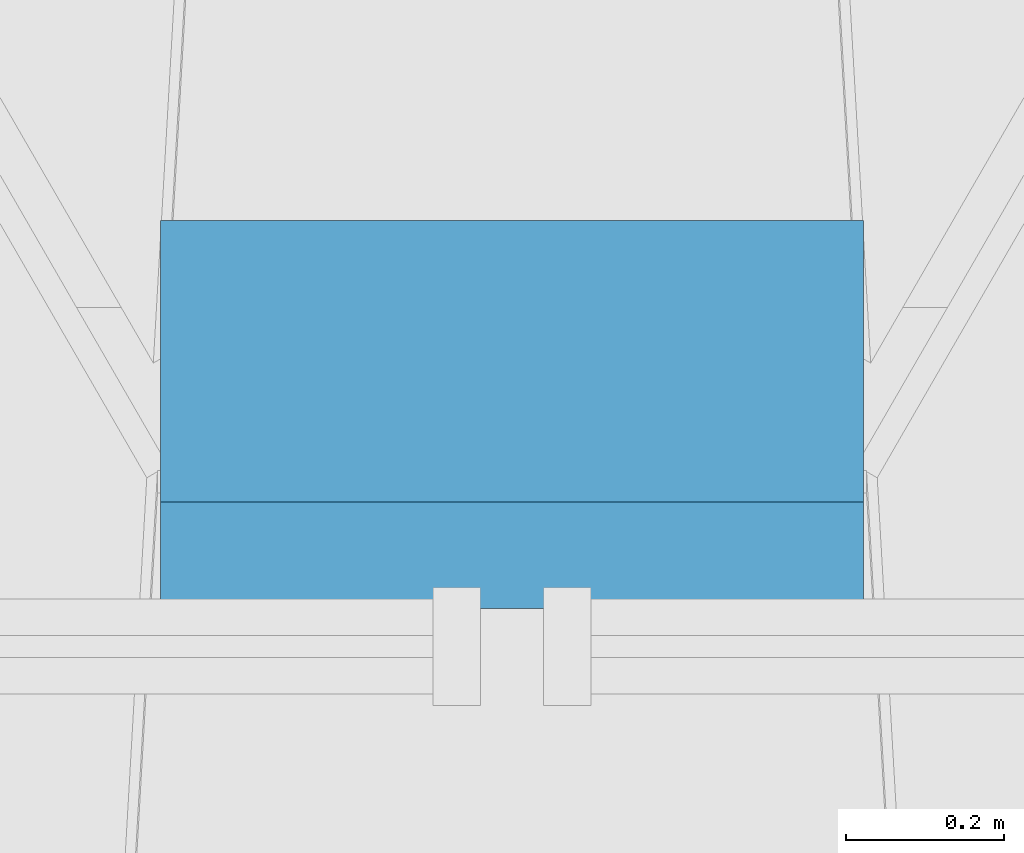
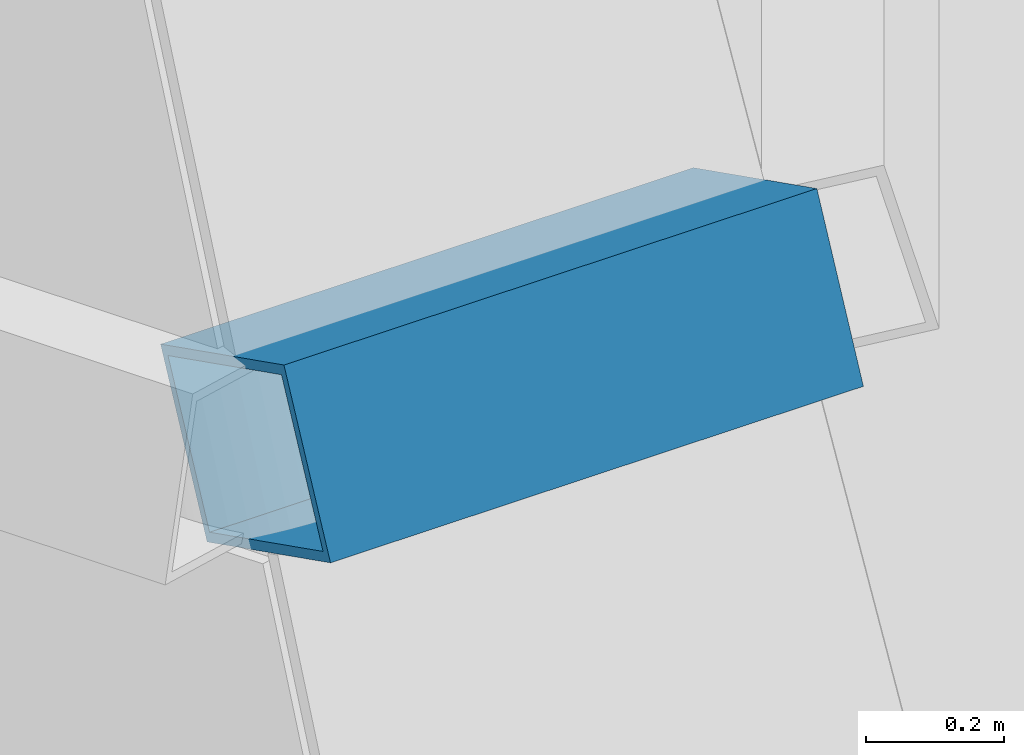
# One storey, part 13 of 36: 1 member, 1 element without a shape of its own.
"""IFC4 building model written with IfcOpenShell, lengths in metres."""

import ifcopenshell
import ifcopenshell.guid

model = None  # the IFC model being written
_history = None  # IfcOwnerHistory: only IFC2X3 demands one
_inside = {}  # id of a spatial element -> (the spatial element, [elements in it])
_under = {}  # id of a project, library or spatial element -> (it, [spatial elements below it])
_declared = {}  # id of a project -> (the project, [libraries it declares])
_typed = {}  # id of a type object -> (the type object, [elements of that type])
_made_of = {}  # id of a material, layer set ... -> (it, [elements and type objects made of it])


def new_model(schema):
    """Start an empty IFC model of exactly this schema.

    Asked for "IFC4X3", IfcOpenShell would pick the latest addendum, in which some entities
    have other attributes; the version numbers below select the first issue.
    IFC2X3 requires an IfcOwnerHistory on every rooted entity: one is made here for all.
    """
    global model, _history
    if schema == "IFC4X3":
        model = ifcopenshell.file(schema_version=(4, 3, 0, 0))
    else:
        model = ifcopenshell.file(schema=schema)
    _inside.clear()
    _under.clear()
    _declared.clear()
    _typed.clear()
    _made_of.clear()
    _history = None
    if model.schema == "IFC2X3":
        org = make("IfcOrganization", Name="unknown")
        user = make(
            "IfcPersonAndOrganization",
            ThePerson=make("IfcPerson", FamilyName="unknown"),
            TheOrganization=org,
        )
        app = make(
            "IfcApplication",
            ApplicationDeveloper=org,
            Version="unknown",
            ApplicationFullName="unknown",
            ApplicationIdentifier="unknown",
        )
        _history = make(
            "IfcOwnerHistory",
            OwningUser=user,
            OwningApplication=app,
            ChangeAction="ADDED",
            CreationDate=0,
        )
    return model


def make(cls, **values):
    """One entity of the class cls with the attributes given. An attribute that is None is left unset."""
    return model.create_entity(
        cls, **{name: value for name, value in values.items() if value is not None}
    )


def rooted(cls, **values):
    """An entity with a GlobalId (a new one), such as an element, a storey or a relation."""
    return make(cls, GlobalId=ifcopenshell.guid.new(), OwnerHistory=_history, **values)


def si_unit(unit_type, name, prefix=None):
    """IfcSIUnit, for example si_unit("LENGTHUNIT", "METRE", prefix="MILLI")."""
    return make("IfcSIUnit", UnitType=unit_type, Prefix=prefix, Name=name)


def assignment(units):
    """IfcUnitAssignment: the units of a project."""
    return None if units is None else make("IfcUnitAssignment", Units=units)


def point(xyz):
    """IfcCartesianPoint."""
    return None if xyz is None else make("IfcCartesianPoint", Coordinates=xyz)


def direction(xyz):
    """IfcDirection."""
    return None if xyz is None else make("IfcDirection", DirectionRatios=xyz)


def frame(location, z_axis=None, x_axis=None):
    """IfcAxis2Placement3D, a coordinate frame: its origin and axes. An axis left out is left unset."""
    return make(
        "IfcAxis2Placement3D",
        Location=point(location),
        Axis=direction(z_axis),
        RefDirection=direction(x_axis),
    )


def frame_2d(location, x_axis=None):
    """IfcAxis2Placement2D, a coordinate frame in the plane: its origin and x axis."""
    return make(
        "IfcAxis2Placement2D", Location=point(location), RefDirection=direction(x_axis)
    )


def origin():
    """The frame at (0, 0, 0) with its axes left unset."""
    return frame((0.0, 0.0, 0.0))


def origin_2d():
    """The frame at (0, 0) in the plane with its x axis left unset."""
    return frame_2d((0.0, 0.0))


def place(relative_to, where):
    """IfcLocalPlacement: puts the frame where relative to a parent placement (None: the world)."""
    return make(
        "IfcLocalPlacement", PlacementRelTo=relative_to, RelativePlacement=where
    )


def context(
    kind, dimensions, precision=None, world=None, true_north=None, identifier=None
):
    """IfcGeometricRepresentationContext, for example the 3D "Model" context."""
    return make(
        "IfcGeometricRepresentationContext",
        ContextIdentifier=identifier,
        ContextType=kind,
        CoordinateSpaceDimension=dimensions,
        Precision=precision,
        WorldCoordinateSystem=world,
        TrueNorth=true_north,
    )


def subcontext(parent, identifier, kind, view, scale=None):
    """IfcGeometricRepresentationSubContext, for example "Body" below "Model"."""
    return make(
        "IfcGeometricRepresentationSubContext",
        ContextIdentifier=identifier,
        ContextType=kind,
        ParentContext=parent,
        TargetScale=scale,
        TargetView=view,
    )


def project(units=None, contexts=None):
    """IfcProject with its units and contexts."""
    return rooted(
        "IfcProject",
        Name="project",
        RepresentationContexts=contexts,
        UnitsInContext=assignment(units),
    )


def spatial(cls, under=None, at=None, **own):
    """A site, building, storey or space (cls), placed at a placement, below another one or the project."""
    s = rooted(cls, ObjectPlacement=at, **own)
    if under is not None:
        _under.setdefault(under.id(), (under, []))[1].append(s)
    return s


def profile(cls, at=None, kind="AREA", **sizes):
    """A parametric profile (cls). Its sizes go by their IFC names, for example OverallWidth=200.0."""
    return make(cls, ProfileType=kind, Position=at, **sizes)


def hollow_rectangle(**sizes):
    """IfcRectangleHollowProfileDef."""
    return profile("IfcRectangleHollowProfileDef", **sizes)


def extrude(swept, where, along, depth):
    """IfcExtrudedAreaSolid: the profile swept, set in the frame where, extruded along a direction by depth."""
    return make(
        "IfcExtrudedAreaSolid",
        SweptArea=swept,
        Position=where,
        ExtrudedDirection=direction(along),
        Depth=depth,
    )


def shape(context_of_items, identifier, shape_type, items):
    """IfcShapeRepresentation: the items that make up one representation, for example the "Body"."""
    return make(
        "IfcShapeRepresentation",
        ContextOfItems=context_of_items,
        RepresentationIdentifier=identifier,
        RepresentationType=shape_type,
        Items=items,
    )


def material(Name=None, Category=None):
    """IfcMaterial."""
    return make("IfcMaterial", Name=Name, Category=Category)


def layer(
    of_material, thickness, ventilated=None, Name=None, Category=None, Priority=None
):
    """IfcMaterialLayer: one layer of a wall or slab, of a material (None: an air gap)."""
    return make(
        "IfcMaterialLayer",
        Material=of_material,
        LayerThickness=thickness,
        IsVentilated=ventilated,
        Name=Name,
        Category=Category,
        Priority=Priority,
    )


def layer_set(layers, Name=None):
    """IfcMaterialLayerSet."""
    return make("IfcMaterialLayerSet", MaterialLayers=layers, LayerSetName=Name)


def material_profile(
    of_material, cross_section, Name=None, Category=None, Priority=None
):
    """IfcMaterialProfile: a cross section and its material."""
    return make(
        "IfcMaterialProfile",
        Name=Name,
        Material=of_material,
        Profile=cross_section,
        Priority=Priority,
        Category=Category,
    )


def profile_set(profiles, Name=None, composite=None):
    """IfcMaterialProfileSet."""
    return make(
        "IfcMaterialProfileSet",
        Name=Name,
        MaterialProfiles=profiles,
        CompositeProfile=composite,
    )


def made_of(thing, what):
    """Note that an element or type object is made of a material, layer set ...; save() writes the relation."""
    if what is not None:
        _made_of.setdefault(what.id(), (what, []))[1].append(thing)
    return thing


def type_object(cls, material=None, **own):
    """A type object (cls), such as IfcWallType, which elements share."""
    return made_of(rooted(cls, **own), material)


def element(
    cls,
    number,
    at=None,
    inside=None,
    cuts=None,
    type_object=None,
    material=None,
    context=None,
    identifier="Body",
    shape_type=None,
    held_by="IfcProductDefinitionShape",
    body=None,
    shapes=None,
    **own,
):
    """One element of the class cls, such as IfcWall. Its Tag is "e" and its number.

    at: its placement. inside: the storey or other place that contains it. cuts: it is an
    opening in that element (IfcRelVoidsElement). A single representation is given by context,
    identifier, shape_type and body (its items); several are given by shapes. held_by: the class
    of the entity that holds the representations. save() writes the other relations.
    """
    e = rooted(cls, Tag="e%d" % number, ObjectPlacement=at, **own)
    if body is not None:
        shapes = [shape(context, identifier, shape_type, body)]
    if shapes is not None:
        e.Representation = make(held_by, Representations=shapes)
    if inside is not None:
        _inside.setdefault(inside.id(), (inside, []))[1].append(e)
    if cuts is not None:
        rooted(
            "IfcRelVoidsElement", RelatingBuildingElement=cuts, RelatedOpeningElement=e
        )
    if type_object is not None:
        _typed.setdefault(type_object.id(), (type_object, []))[1].append(e)
    return made_of(e, material)


def aggregate(whole, parts):
    """IfcRelAggregates: a whole, such as a stair, and the parts it consists of."""
    return rooted("IfcRelAggregates", RelatingObject=whole, RelatedObjects=parts)


def save(model, path):
    """Write the relations noted so far, then the file.

    IfcRelAggregates (storeys below a building ...), IfcRelContainedInSpatialStructure (elements
    in a storey), IfcRelDefinesByType, IfcRelAssociatesMaterial and IfcRelDeclares: one each for
    every whole, place, type object, material and project.
    """
    for whole, parts in _under.values():
        aggregate(whole, parts)
    for where, things in _inside.values():
        rooted(
            "IfcRelContainedInSpatialStructure",
            RelatedElements=things,
            RelatingStructure=where,
        )
    for kind, things in _typed.values():
        rooted("IfcRelDefinesByType", RelatedObjects=things, RelatingType=kind)
    for what, things in _made_of.values():
        rooted("IfcRelAssociatesMaterial", RelatedObjects=things, RelatingMaterial=what)
    for by, libraries in _declared.values():
        rooted("IfcRelDeclares", RelatingContext=by, RelatedDefinitions=libraries)
    model.write(path)


model = new_model("IFC4")

# Units and contexts
model_context = context("Model", 3, precision=1e-05, world=origin(), true_north=direction((0.0, 1.0)))
body_context = subcontext(model_context, "Body", "Model", "MODEL_VIEW")
ifc_project = project(units=[si_unit("LENGTHUNIT", "METRE"), si_unit("AREAUNIT", "SQUARE_METRE"), si_unit("VOLUMEUNIT", "CUBIC_METRE"), si_unit("PLANEANGLEUNIT", "RADIAN"), si_unit("MASSUNIT", "GRAM", prefix="KILO")], contexts=[model_context])

# Site, building, storey
site_placement = place(None, origin())
site = spatial("IfcSite", under=ifc_project, at=site_placement, CompositionType="ELEMENT")
building_placement = place(site_placement, origin())
building = spatial("IfcBuilding", under=site, at=building_placement, Name="Njiva Tower", CompositionType="ELEMENT")
storey_placement = place(building_placement, frame((0.0, 0.0, 337.8)))
storey = spatial("IfcBuildingStorey", under=building, at=storey_placement, Name="L77", CompositionType="ELEMENT", Elevation=337.8)

# Curtain wall, member
ifc_material_1 = material(Name="Glazed curtain wall", Category="glass")
ifc_layer = layer(ifc_material_1, 0.16)
ifc_layer_set = layer_set([ifc_layer], Name="Glazed curtain wall")
curtain_wall_type = type_object("IfcCurtainWallType", Name="CW3 Crown glazing, faceted point, corner faces", PredefinedType="NOTDEFINED", material=ifc_layer_set)
curtain_wall_placement = place(storey_placement, origin())
curtain_wall = element("IfcCurtainWall", 1, at=curtain_wall_placement, inside=storey, type_object=curtain_wall_type, Name="Crown glazing face S tier 3", PredefinedType="NOTDEFINED")
ifc_material_2 = material(Name="Steel S355 J2H", Category="steel")
ifc_material_profile = material_profile(ifc_material_2, hollow_rectangle(XDim=0.3, YDim=0.4, WallThickness=0.016, at=origin_2d()), Name="BOX 400x300x16")
ifc_profile_set = profile_set([ifc_material_profile], Name="Steel S355 J2H")
member_type = type_object("IfcMemberType", Name="CW3-R Crown corner glazing ring RHS 400x300x16", PredefinedType="USERDEFINED", material=ifc_profile_set)
member_placement = place(storey_placement, frame((-0.4456, -3.1856, 44.5), z_axis=(1.0, 0.0, 0.0), x_axis=(0.0, 0.449387179101, 0.893337093856)))
member = element("IfcMember", 2, at=member_placement, type_object=member_type, Name="Crown glazing ring", ObjectType="RING", PredefinedType="USERDEFINED", context=body_context, shape_type="SweptSolid", body=[
    extrude(hollow_rectangle(XDim=0.3, YDim=0.4, WallThickness=0.016, at=origin_2d()), origin(), (0.0, 0.0, 1.0), 0.8912),
])
aggregate(curtain_wall, [member])

save(model, "model.ifc")
